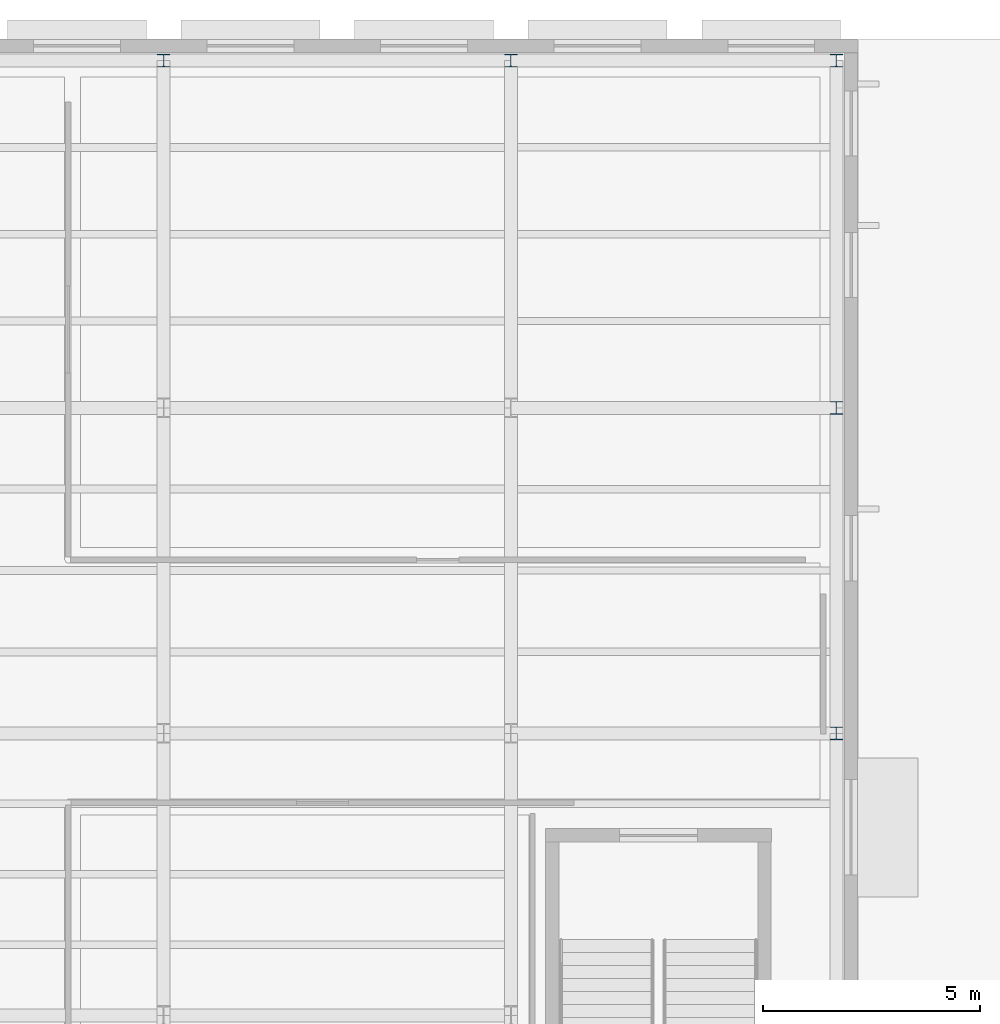
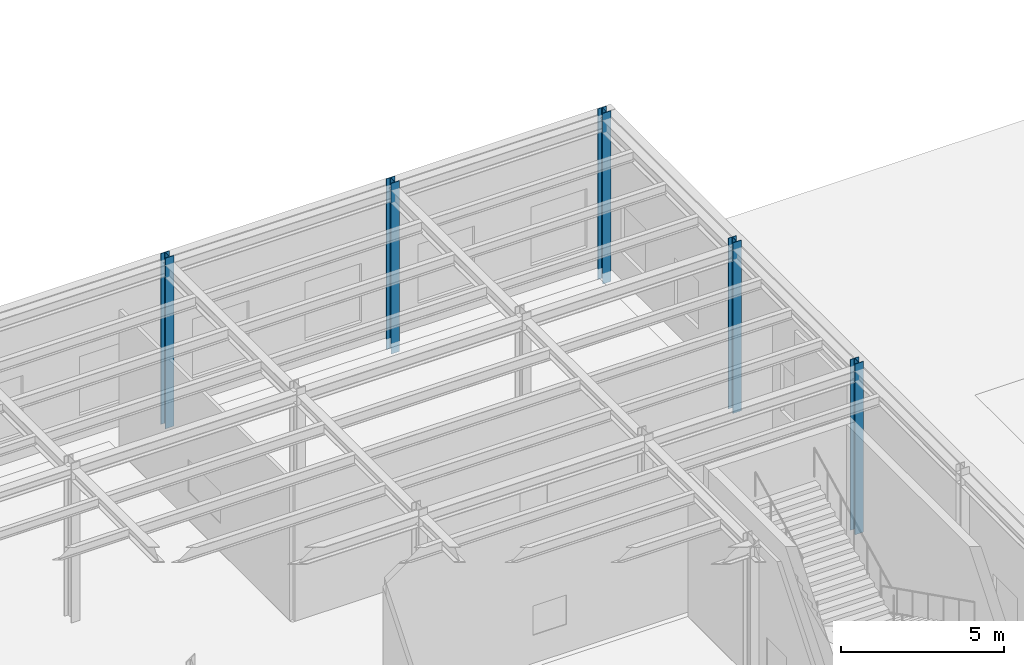
# One storey, part 12 of 118: 5 columns.
"""IFC4 building model written with IfcOpenShell, lengths in metres."""

import ifcopenshell
import ifcopenshell.guid

model = None  # the IFC model being written
_history = None  # IfcOwnerHistory: only IFC2X3 demands one
_inside = {}  # id of a spatial element -> (the spatial element, [elements in it])
_under = {}  # id of a project, library or spatial element -> (it, [spatial elements below it])
_declared = {}  # id of a project -> (the project, [libraries it declares])
_typed = {}  # id of a type object -> (the type object, [elements of that type])
_made_of = {}  # id of a material, layer set ... -> (it, [elements and type objects made of it])


def new_model(schema):
    """Start an empty IFC model of exactly this schema.

    Asked for "IFC4X3", IfcOpenShell would pick the latest addendum, in which some entities
    have other attributes; the version numbers below select the first issue.
    IFC2X3 requires an IfcOwnerHistory on every rooted entity: one is made here for all.
    """
    global model, _history
    if schema == "IFC4X3":
        model = ifcopenshell.file(schema_version=(4, 3, 0, 0))
    else:
        model = ifcopenshell.file(schema=schema)
    _inside.clear()
    _under.clear()
    _declared.clear()
    _typed.clear()
    _made_of.clear()
    _history = None
    if model.schema == "IFC2X3":
        org = make("IfcOrganization", Name="unknown")
        user = make(
            "IfcPersonAndOrganization",
            ThePerson=make("IfcPerson", FamilyName="unknown"),
            TheOrganization=org,
        )
        app = make(
            "IfcApplication",
            ApplicationDeveloper=org,
            Version="unknown",
            ApplicationFullName="unknown",
            ApplicationIdentifier="unknown",
        )
        _history = make(
            "IfcOwnerHistory",
            OwningUser=user,
            OwningApplication=app,
            ChangeAction="ADDED",
            CreationDate=0,
        )
    return model


def make(cls, **values):
    """One entity of the class cls with the attributes given. An attribute that is None is left unset."""
    return model.create_entity(
        cls, **{name: value for name, value in values.items() if value is not None}
    )


def rooted(cls, **values):
    """An entity with a GlobalId (a new one), such as an element, a storey or a relation."""
    return make(cls, GlobalId=ifcopenshell.guid.new(), OwnerHistory=_history, **values)


def si_unit(unit_type, name, prefix=None):
    """IfcSIUnit, for example si_unit("LENGTHUNIT", "METRE", prefix="MILLI")."""
    return make("IfcSIUnit", UnitType=unit_type, Prefix=prefix, Name=name)


def assignment(units):
    """IfcUnitAssignment: the units of a project."""
    return None if units is None else make("IfcUnitAssignment", Units=units)


def point(xyz):
    """IfcCartesianPoint."""
    return None if xyz is None else make("IfcCartesianPoint", Coordinates=xyz)


def direction(xyz):
    """IfcDirection."""
    return None if xyz is None else make("IfcDirection", DirectionRatios=xyz)


def frame(location, z_axis=None, x_axis=None):
    """IfcAxis2Placement3D, a coordinate frame: its origin and axes. An axis left out is left unset."""
    return make(
        "IfcAxis2Placement3D",
        Location=point(location),
        Axis=direction(z_axis),
        RefDirection=direction(x_axis),
    )


def frame_2d(location, x_axis=None):
    """IfcAxis2Placement2D, a coordinate frame in the plane: its origin and x axis."""
    return make(
        "IfcAxis2Placement2D", Location=point(location), RefDirection=direction(x_axis)
    )


def origin():
    """The frame at (0, 0, 0) with its axes left unset."""
    return frame((0.0, 0.0, 0.0))


def origin_2d():
    """The frame at (0, 0) in the plane with its x axis left unset."""
    return frame_2d((0.0, 0.0))


def place(relative_to, where):
    """IfcLocalPlacement: puts the frame where relative to a parent placement (None: the world)."""
    return make(
        "IfcLocalPlacement", PlacementRelTo=relative_to, RelativePlacement=where
    )


def context(
    kind, dimensions, precision=None, world=None, true_north=None, identifier=None
):
    """IfcGeometricRepresentationContext, for example the 3D "Model" context."""
    return make(
        "IfcGeometricRepresentationContext",
        ContextIdentifier=identifier,
        ContextType=kind,
        CoordinateSpaceDimension=dimensions,
        Precision=precision,
        WorldCoordinateSystem=world,
        TrueNorth=true_north,
    )


def subcontext(parent, identifier, kind, view, scale=None):
    """IfcGeometricRepresentationSubContext, for example "Body" below "Model"."""
    return make(
        "IfcGeometricRepresentationSubContext",
        ContextIdentifier=identifier,
        ContextType=kind,
        ParentContext=parent,
        TargetScale=scale,
        TargetView=view,
    )


def project(units=None, contexts=None):
    """IfcProject with its units and contexts."""
    return rooted(
        "IfcProject",
        Name="project",
        RepresentationContexts=contexts,
        UnitsInContext=assignment(units),
    )


def spatial(cls, under=None, at=None, **own):
    """A site, building, storey or space (cls), placed at a placement, below another one or the project."""
    s = rooted(cls, ObjectPlacement=at, **own)
    if under is not None:
        _under.setdefault(under.id(), (under, []))[1].append(s)
    return s


def profile(cls, at=None, kind="AREA", **sizes):
    """A parametric profile (cls). Its sizes go by their IFC names, for example OverallWidth=200.0."""
    return make(cls, ProfileType=kind, Position=at, **sizes)


def i_section(**sizes):
    """IfcIShapeProfileDef."""
    return profile("IfcIShapeProfileDef", **sizes)


def extrude(swept, where, along, depth):
    """IfcExtrudedAreaSolid: the profile swept, set in the frame where, extruded along a direction by depth."""
    return make(
        "IfcExtrudedAreaSolid",
        SweptArea=swept,
        Position=where,
        ExtrudedDirection=direction(along),
        Depth=depth,
    )


def shape(context_of_items, identifier, shape_type, items):
    """IfcShapeRepresentation: the items that make up one representation, for example the "Body"."""
    return make(
        "IfcShapeRepresentation",
        ContextOfItems=context_of_items,
        RepresentationIdentifier=identifier,
        RepresentationType=shape_type,
        Items=items,
    )


def material(Name=None, Category=None):
    """IfcMaterial."""
    return make("IfcMaterial", Name=Name, Category=Category)


def material_profile(
    of_material, cross_section, Name=None, Category=None, Priority=None
):
    """IfcMaterialProfile: a cross section and its material."""
    return make(
        "IfcMaterialProfile",
        Name=Name,
        Material=of_material,
        Profile=cross_section,
        Priority=Priority,
        Category=Category,
    )


def profile_set(profiles, Name=None, composite=None):
    """IfcMaterialProfileSet."""
    return make(
        "IfcMaterialProfileSet",
        Name=Name,
        MaterialProfiles=profiles,
        CompositeProfile=composite,
    )


def made_of(thing, what):
    """Note that an element or type object is made of a material, layer set ...; save() writes the relation."""
    if what is not None:
        _made_of.setdefault(what.id(), (what, []))[1].append(thing)
    return thing


def type_object(cls, material=None, **own):
    """A type object (cls), such as IfcWallType, which elements share."""
    return made_of(rooted(cls, **own), material)


def element(
    cls,
    number,
    at=None,
    inside=None,
    cuts=None,
    type_object=None,
    material=None,
    context=None,
    identifier="Body",
    shape_type=None,
    held_by="IfcProductDefinitionShape",
    body=None,
    shapes=None,
    **own,
):
    """One element of the class cls, such as IfcWall. Its Tag is "e" and its number.

    at: its placement. inside: the storey or other place that contains it. cuts: it is an
    opening in that element (IfcRelVoidsElement). A single representation is given by context,
    identifier, shape_type and body (its items); several are given by shapes. held_by: the class
    of the entity that holds the representations. save() writes the other relations.
    """
    e = rooted(cls, Tag="e%d" % number, ObjectPlacement=at, **own)
    if body is not None:
        shapes = [shape(context, identifier, shape_type, body)]
    if shapes is not None:
        e.Representation = make(held_by, Representations=shapes)
    if inside is not None:
        _inside.setdefault(inside.id(), (inside, []))[1].append(e)
    if cuts is not None:
        rooted(
            "IfcRelVoidsElement", RelatingBuildingElement=cuts, RelatedOpeningElement=e
        )
    if type_object is not None:
        _typed.setdefault(type_object.id(), (type_object, []))[1].append(e)
    return made_of(e, material)


def aggregate(whole, parts):
    """IfcRelAggregates: a whole, such as a stair, and the parts it consists of."""
    return rooted("IfcRelAggregates", RelatingObject=whole, RelatedObjects=parts)


def save(model, path):
    """Write the relations noted so far, then the file.

    IfcRelAggregates (storeys below a building ...), IfcRelContainedInSpatialStructure (elements
    in a storey), IfcRelDefinesByType, IfcRelAssociatesMaterial and IfcRelDeclares: one each for
    every whole, place, type object, material and project.
    """
    for whole, parts in _under.values():
        aggregate(whole, parts)
    for where, things in _inside.values():
        rooted(
            "IfcRelContainedInSpatialStructure",
            RelatedElements=things,
            RelatingStructure=where,
        )
    for kind, things in _typed.values():
        rooted("IfcRelDefinesByType", RelatedObjects=things, RelatingType=kind)
    for what, things in _made_of.values():
        rooted("IfcRelAssociatesMaterial", RelatedObjects=things, RelatingMaterial=what)
    for by, libraries in _declared.values():
        rooted("IfcRelDeclares", RelatingContext=by, RelatedDefinitions=libraries)
    model.write(path)


model = new_model("IFC4")

# Units and contexts
model_context = context("Model", 3, precision=1e-05, world=origin(), true_north=direction((0.0, 1.0)))
body_context = subcontext(model_context, "Body", "Model", "MODEL_VIEW")
ifc_project = project(units=[si_unit("LENGTHUNIT", "METRE"), si_unit("AREAUNIT", "SQUARE_METRE"), si_unit("VOLUMEUNIT", "CUBIC_METRE"), si_unit("PLANEANGLEUNIT", "RADIAN"), si_unit("MASSUNIT", "GRAM", prefix="KILO")], contexts=[model_context])

# Site, building, storey
site_placement = place(None, origin())
site = spatial("IfcSite", under=ifc_project, at=site_placement, CompositionType="ELEMENT")
building_placement = place(site_placement, origin())
building = spatial("IfcBuilding", under=site, at=building_placement, Name="Kolvaren Corner Interchange", CompositionType="ELEMENT")
storey_placement = place(building_placement, origin())
storey = spatial("IfcBuildingStorey", under=building, at=storey_placement, Name="L01", CompositionType="ELEMENT", Elevation=0.0)

# Columns
ifc_material = material(Name="Steel S355", Category="steel")
ifc_material_profile = material_profile(ifc_material, i_section(OverallWidth=0.300048828125, OverallDepth=0.300048828125, WebThickness=0.010986328125, FlangeThickness=0.01904296875, FilletRadius=0.027099609375, at=origin_2d()), Name="HEB 300")
ifc_profile_set = profile_set([ifc_material_profile], Name="Steel S355")
column_type = type_object("IfcColumnType", Name="PIL-HEB300", PredefinedType="PILASTER", material=ifc_profile_set)
for number, where, z_axis, x_axis, name in (
    (1, (98.0, 113.5, -0.39990234375), (0.0, 0.0, 1.0), (1.0, 0.0, 0.0), "Storey L01 Structural Column 0914"),
    (2, (106.0, 113.5, -0.39990234375), (0.0, 0.0, 1.0), (1.0, 0.0, 0.0), "Storey L01 Structural Column 0924"),
    (3, (113.5, 98.0, -0.39990234375), (0.0, 0.0, 1.0), (1.0, 0.0, 0.0), "Storey L01 Structural Column 0930"),
    (4, (113.5, 105.5, -0.39990234375), (0.0, 0.0, 1.0), (1.0, 0.0, 0.0), "Storey L01 Structural Column 0932"),
    (5, (113.5, 113.5, -0.39990234375), (0.0, 0.0, 1.0), (1.0, 0.0, 0.0), "Storey L01 Structural Column 0934"),
):
    element("IfcColumn", number, at=place(storey_placement, frame(where, z_axis=z_axis, x_axis=x_axis)), inside=storey, type_object=column_type, Name=name, PredefinedType="PILASTER", context=body_context, shape_type="SweptSolid", body=[
        extrude(i_section(OverallWidth=0.300048828125, OverallDepth=0.300048828125, WebThickness=0.010986328125, FlangeThickness=0.01904296875, FilletRadius=0.027099609375, at=origin_2d()), origin(), (0.0, 0.0, 1.0), 6.39990234375),
    ])

save(model, "model.ifc")
